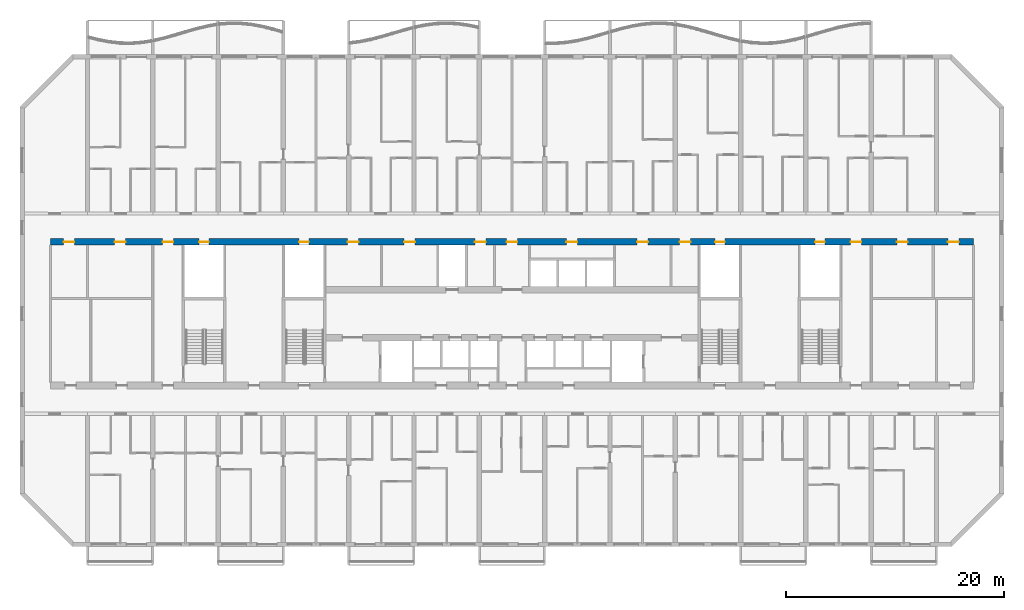
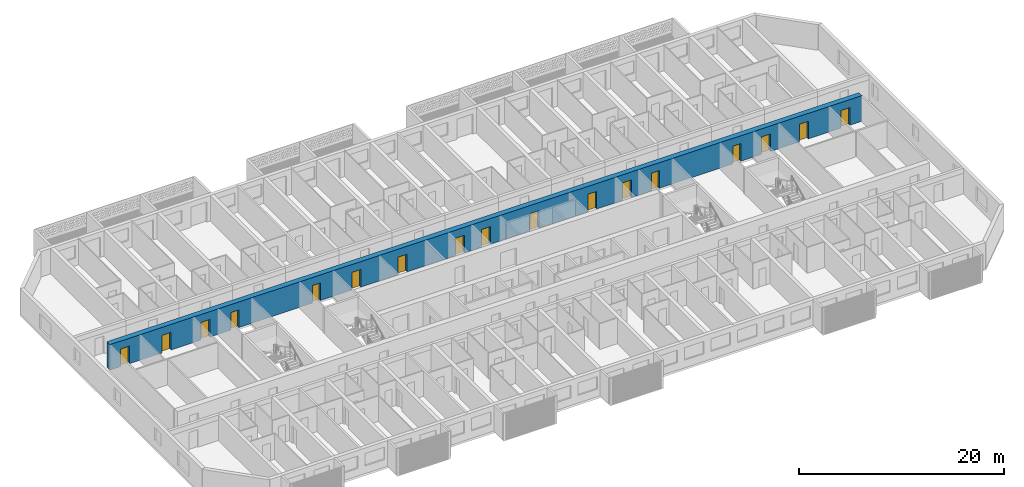
# One storey, part 8 of 39: 17 doors, 1 wall, 17 openings.
"""IFC4 building model written with IfcOpenShell, lengths in metres."""

import ifcopenshell
import ifcopenshell.guid

model = None  # the IFC model being written
_history = None  # IfcOwnerHistory: only IFC2X3 demands one
_inside = {}  # id of a spatial element -> (the spatial element, [elements in it])
_under = {}  # id of a project, library or spatial element -> (it, [spatial elements below it])
_declared = {}  # id of a project -> (the project, [libraries it declares])
_typed = {}  # id of a type object -> (the type object, [elements of that type])
_made_of = {}  # id of a material, layer set ... -> (it, [elements and type objects made of it])


def new_model(schema):
    """Start an empty IFC model of exactly this schema.

    Asked for "IFC4X3", IfcOpenShell would pick the latest addendum, in which some entities
    have other attributes; the version numbers below select the first issue.
    IFC2X3 requires an IfcOwnerHistory on every rooted entity: one is made here for all.
    """
    global model, _history
    if schema == "IFC4X3":
        model = ifcopenshell.file(schema_version=(4, 3, 0, 0))
    else:
        model = ifcopenshell.file(schema=schema)
    _inside.clear()
    _under.clear()
    _declared.clear()
    _typed.clear()
    _made_of.clear()
    _history = None
    if model.schema == "IFC2X3":
        org = make("IfcOrganization", Name="unknown")
        user = make(
            "IfcPersonAndOrganization",
            ThePerson=make("IfcPerson", FamilyName="unknown"),
            TheOrganization=org,
        )
        app = make(
            "IfcApplication",
            ApplicationDeveloper=org,
            Version="unknown",
            ApplicationFullName="unknown",
            ApplicationIdentifier="unknown",
        )
        _history = make(
            "IfcOwnerHistory",
            OwningUser=user,
            OwningApplication=app,
            ChangeAction="ADDED",
            CreationDate=0,
        )
    return model


def make(cls, **values):
    """One entity of the class cls with the attributes given. An attribute that is None is left unset."""
    return model.create_entity(
        cls, **{name: value for name, value in values.items() if value is not None}
    )


def rooted(cls, **values):
    """An entity with a GlobalId (a new one), such as an element, a storey or a relation."""
    return make(cls, GlobalId=ifcopenshell.guid.new(), OwnerHistory=_history, **values)


def si_unit(unit_type, name, prefix=None):
    """IfcSIUnit, for example si_unit("LENGTHUNIT", "METRE", prefix="MILLI")."""
    return make("IfcSIUnit", UnitType=unit_type, Prefix=prefix, Name=name)


def assignment(units):
    """IfcUnitAssignment: the units of a project."""
    return None if units is None else make("IfcUnitAssignment", Units=units)


def point(xyz):
    """IfcCartesianPoint."""
    return None if xyz is None else make("IfcCartesianPoint", Coordinates=xyz)


def direction(xyz):
    """IfcDirection."""
    return None if xyz is None else make("IfcDirection", DirectionRatios=xyz)


def frame(location, z_axis=None, x_axis=None):
    """IfcAxis2Placement3D, a coordinate frame: its origin and axes. An axis left out is left unset."""
    return make(
        "IfcAxis2Placement3D",
        Location=point(location),
        Axis=direction(z_axis),
        RefDirection=direction(x_axis),
    )


def frame_2d(location, x_axis=None):
    """IfcAxis2Placement2D, a coordinate frame in the plane: its origin and x axis."""
    return make(
        "IfcAxis2Placement2D", Location=point(location), RefDirection=direction(x_axis)
    )


def origin():
    """The frame at (0, 0, 0) with its axes left unset."""
    return frame((0.0, 0.0, 0.0))


def place(relative_to, where):
    """IfcLocalPlacement: puts the frame where relative to a parent placement (None: the world)."""
    return make(
        "IfcLocalPlacement", PlacementRelTo=relative_to, RelativePlacement=where
    )


def context(
    kind, dimensions, precision=None, world=None, true_north=None, identifier=None
):
    """IfcGeometricRepresentationContext, for example the 3D "Model" context."""
    return make(
        "IfcGeometricRepresentationContext",
        ContextIdentifier=identifier,
        ContextType=kind,
        CoordinateSpaceDimension=dimensions,
        Precision=precision,
        WorldCoordinateSystem=world,
        TrueNorth=true_north,
    )


def subcontext(parent, identifier, kind, view, scale=None):
    """IfcGeometricRepresentationSubContext, for example "Body" below "Model"."""
    return make(
        "IfcGeometricRepresentationSubContext",
        ContextIdentifier=identifier,
        ContextType=kind,
        ParentContext=parent,
        TargetScale=scale,
        TargetView=view,
    )


def project(units=None, contexts=None):
    """IfcProject with its units and contexts."""
    return rooted(
        "IfcProject",
        Name="project",
        RepresentationContexts=contexts,
        UnitsInContext=assignment(units),
    )


def spatial(cls, under=None, at=None, **own):
    """A site, building, storey or space (cls), placed at a placement, below another one or the project."""
    s = rooted(cls, ObjectPlacement=at, **own)
    if under is not None:
        _under.setdefault(under.id(), (under, []))[1].append(s)
    return s


def profile(cls, at=None, kind="AREA", **sizes):
    """A parametric profile (cls). Its sizes go by their IFC names, for example OverallWidth=200.0."""
    return make(cls, ProfileType=kind, Position=at, **sizes)


def rectangle(**sizes):
    """IfcRectangleProfileDef."""
    return profile("IfcRectangleProfileDef", **sizes)


def extrude(swept, where, along, depth):
    """IfcExtrudedAreaSolid: the profile swept, set in the frame where, extruded along a direction by depth."""
    return make(
        "IfcExtrudedAreaSolid",
        SweptArea=swept,
        Position=where,
        ExtrudedDirection=direction(along),
        Depth=depth,
    )


def shape(context_of_items, identifier, shape_type, items):
    """IfcShapeRepresentation: the items that make up one representation, for example the "Body"."""
    return make(
        "IfcShapeRepresentation",
        ContextOfItems=context_of_items,
        RepresentationIdentifier=identifier,
        RepresentationType=shape_type,
        Items=items,
    )


def material(Name=None, Category=None):
    """IfcMaterial."""
    return make("IfcMaterial", Name=Name, Category=Category)


def layer(
    of_material, thickness, ventilated=None, Name=None, Category=None, Priority=None
):
    """IfcMaterialLayer: one layer of a wall or slab, of a material (None: an air gap)."""
    return make(
        "IfcMaterialLayer",
        Material=of_material,
        LayerThickness=thickness,
        IsVentilated=ventilated,
        Name=Name,
        Category=Category,
        Priority=Priority,
    )


def layer_set(layers, Name=None):
    """IfcMaterialLayerSet."""
    return make("IfcMaterialLayerSet", MaterialLayers=layers, LayerSetName=Name)


def made_of(thing, what):
    """Note that an element or type object is made of a material, layer set ...; save() writes the relation."""
    if what is not None:
        _made_of.setdefault(what.id(), (what, []))[1].append(thing)
    return thing


def type_object(cls, material=None, **own):
    """A type object (cls), such as IfcWallType, which elements share."""
    return made_of(rooted(cls, **own), material)


def element(
    cls,
    number,
    at=None,
    inside=None,
    cuts=None,
    type_object=None,
    material=None,
    context=None,
    identifier="Body",
    shape_type=None,
    held_by="IfcProductDefinitionShape",
    body=None,
    shapes=None,
    **own,
):
    """One element of the class cls, such as IfcWall. Its Tag is "e" and its number.

    at: its placement. inside: the storey or other place that contains it. cuts: it is an
    opening in that element (IfcRelVoidsElement). A single representation is given by context,
    identifier, shape_type and body (its items); several are given by shapes. held_by: the class
    of the entity that holds the representations. save() writes the other relations.
    """
    e = rooted(cls, Tag="e%d" % number, ObjectPlacement=at, **own)
    if body is not None:
        shapes = [shape(context, identifier, shape_type, body)]
    if shapes is not None:
        e.Representation = make(held_by, Representations=shapes)
    if inside is not None:
        _inside.setdefault(inside.id(), (inside, []))[1].append(e)
    if cuts is not None:
        rooted(
            "IfcRelVoidsElement", RelatingBuildingElement=cuts, RelatedOpeningElement=e
        )
    if type_object is not None:
        _typed.setdefault(type_object.id(), (type_object, []))[1].append(e)
    return made_of(e, material)


def fill(opening, filler):
    """IfcRelFillsElement: the door or window that sits in an opening."""
    return rooted(
        "IfcRelFillsElement",
        RelatingOpeningElement=opening,
        RelatedBuildingElement=filler,
    )


def aggregate(whole, parts):
    """IfcRelAggregates: a whole, such as a stair, and the parts it consists of."""
    return rooted("IfcRelAggregates", RelatingObject=whole, RelatedObjects=parts)


def save(model, path):
    """Write the relations noted so far, then the file.

    IfcRelAggregates (storeys below a building ...), IfcRelContainedInSpatialStructure (elements
    in a storey), IfcRelDefinesByType, IfcRelAssociatesMaterial and IfcRelDeclares: one each for
    every whole, place, type object, material and project.
    """
    for whole, parts in _under.values():
        aggregate(whole, parts)
    for where, things in _inside.values():
        rooted(
            "IfcRelContainedInSpatialStructure",
            RelatedElements=things,
            RelatingStructure=where,
        )
    for kind, things in _typed.values():
        rooted("IfcRelDefinesByType", RelatedObjects=things, RelatingType=kind)
    for what, things in _made_of.values():
        rooted("IfcRelAssociatesMaterial", RelatedObjects=things, RelatingMaterial=what)
    for by, libraries in _declared.values():
        rooted("IfcRelDeclares", RelatingContext=by, RelatedDefinitions=libraries)
    model.write(path)


model = new_model("IFC4")

# Units and contexts
model_context = context("Model", 3, precision=1e-05, world=origin(), true_north=direction((0.0, 1.0)))
body_context = subcontext(model_context, "Body", "Model", "MODEL_VIEW")
ifc_project = project(units=[si_unit("LENGTHUNIT", "METRE"), si_unit("AREAUNIT", "SQUARE_METRE"), si_unit("VOLUMEUNIT", "CUBIC_METRE"), si_unit("PLANEANGLEUNIT", "RADIAN"), si_unit("MASSUNIT", "GRAM", prefix="KILO")], contexts=[model_context])

# Site, building, storey
site_placement = place(None, origin())
site = spatial("IfcSite", under=ifc_project, at=site_placement, CompositionType="ELEMENT")
building_placement = place(site_placement, origin())
building = spatial("IfcBuilding", under=site, at=building_placement, Name="Poui Terraces", CompositionType="ELEMENT")
storey_placement = place(building_placement, frame((0.0, 0.0, 56.39990234375)))
storey = spatial("IfcBuildingStorey", under=building, at=storey_placement, Name="L15", CompositionType="ELEMENT", Elevation=56.39990234375)

# Wall, openings, doors
ifc_material_1 = material(Name="Concrete 80 MPa", Category="concrete")
ifc_layer = layer(ifc_material_1, 0.60009765625)
ifc_layer_set = layer_set([ifc_layer], Name="Concrete 80 MPa")
wall_type = type_object("IfcWallType", Name="SPINE WALL 600 80 MPA", PredefinedType="SOLIDWALL", material=ifc_layer_set)
wall_placement = place(storey_placement, frame((8.60009765625, 27.800048828125, 0.0), z_axis=(0.0, 0.0, 1.0), x_axis=(1.0, 0.0, 0.0)))
wall = element("IfcWall", 1, at=wall_placement, inside=storey, type_object=wall_type, Name="SPINE WALL", PredefinedType="SOLIDWALL", context=body_context, shape_type="SweptSolid", body=[
    extrude(rectangle(XDim=84.7998046875, YDim=0.60009765625, at=frame_2d((42.39990234375, 0.0))), origin(), (0.0, 0.0, 1.0), 3.050048828125),
])
opening_1_placement = place(wall_placement, frame((1.199951171875, 0.0, 0.0)))
opening_1 = element("IfcOpeningElement", 2, at=opening_1_placement, cuts=wall, Name="Opening FD60", PredefinedType="OPENING", context=body_context, shape_type="SweptSolid", body=[
    extrude(rectangle(XDim=1.0, YDim=2.10009765625, at=frame_2d((0.5, 1.050048828125))), frame((0.0, 0.31005859375, 0.0), z_axis=(0.0, -1.0, 0.0), x_axis=(1.0, 0.0, 0.0)), (0.0, 0.0, 1.0), 0.6201171875),
])
opening_2_placement = place(wall_placement, frame((5.89990234375, 0.0, 0.0)))
opening_2 = element("IfcOpeningElement", 3, at=opening_2_placement, cuts=wall, Name="Opening FD60", PredefinedType="OPENING", context=body_context, shape_type="SweptSolid", body=[
    extrude(rectangle(XDim=1.0, YDim=2.10009765625, at=frame_2d((0.5, 1.050048828125))), frame((0.0, 0.31005859375, 0.0), z_axis=(0.0, -1.0, 0.0), x_axis=(1.0, 0.0, 0.0)), (0.0, 0.0, 1.0), 0.6201171875),
])
opening_3_placement = place(wall_placement, frame((10.300048828125, 0.0, 0.0)))
opening_3 = element("IfcOpeningElement", 4, at=opening_3_placement, cuts=wall, Name="Opening FDL", PredefinedType="OPENING", context=body_context, shape_type="SweptSolid", body=[
    extrude(rectangle(XDim=1.0, YDim=2.10009765625, at=frame_2d((0.5, 1.050048828125))), frame((0.0, 0.31005859375, 0.0), z_axis=(0.0, -1.0, 0.0), x_axis=(1.0, 0.0, 0.0)), (0.0, 0.0, 1.0), 0.6201171875),
])
opening_4_placement = place(wall_placement, frame((13.64990234375, 0.0, 0.0)))
opening_4 = element("IfcOpeningElement", 5, at=opening_4_placement, cuts=wall, Name="Opening FDR", PredefinedType="OPENING", context=body_context, shape_type="SweptSolid", body=[
    extrude(rectangle(XDim=0.89990234375, YDim=2.10009765625, at=frame_2d((0.449951171875, 1.050048828125))), frame((0.0, 0.31005859375, 0.0), z_axis=(0.0, -1.0, 0.0), x_axis=(1.0, 0.0, 0.0)), (0.0, 0.0, 1.0), 0.6201171875),
])
opening_5_placement = place(wall_placement, frame((22.85009765625, 0.0, 0.0)))
opening_5 = element("IfcOpeningElement", 6, at=opening_5_placement, cuts=wall, Name="Opening FDR", PredefinedType="OPENING", context=body_context, shape_type="SweptSolid", body=[
    extrude(rectangle(XDim=0.89990234375, YDim=2.10009765625, at=frame_2d((0.449951171875, 1.050048828125))), frame((0.0, 0.31005859375, 0.0), z_axis=(0.0, -1.0, 0.0), x_axis=(1.0, 0.0, 0.0)), (0.0, 0.0, 1.0), 0.6201171875),
])
opening_6_placement = place(wall_placement, frame((27.300048828125, 0.0, 0.0)))
opening_6 = element("IfcOpeningElement", 7, at=opening_6_placement, cuts=wall, Name="Opening FD60", PredefinedType="OPENING", context=body_context, shape_type="SweptSolid", body=[
    extrude(rectangle(XDim=1.0, YDim=2.10009765625, at=frame_2d((0.5, 1.050048828125))), frame((0.0, 0.31005859375, 0.0), z_axis=(0.0, -1.0, 0.0), x_axis=(1.0, 0.0, 0.0)), (0.0, 0.0, 1.0), 0.6201171875),
])
opening_7_placement = place(wall_placement, frame((32.5, 0.0, 0.0)))
opening_7 = element("IfcOpeningElement", 8, at=opening_7_placement, cuts=wall, Name="Opening FD60", PredefinedType="OPENING", context=body_context, shape_type="SweptSolid", body=[
    extrude(rectangle(XDim=1.0, YDim=2.10009765625, at=frame_2d((0.5, 1.050048828125))), frame((0.0, 0.31005859375, 0.0), z_axis=(0.0, -1.0, 0.0), x_axis=(1.0, 0.0, 0.0)), (0.0, 0.0, 1.0), 0.6201171875),
])
opening_8_placement = place(wall_placement, frame((39.0, 0.0, 0.0)))
opening_8 = element("IfcOpeningElement", 9, at=opening_8_placement, cuts=wall, Name="Opening FD60", PredefinedType="OPENING", context=body_context, shape_type="SweptSolid", body=[
    extrude(rectangle(XDim=1.0, YDim=2.10009765625, at=frame_2d((0.5, 1.050048828125))), frame((0.0, 0.31005859375, 0.0), z_axis=(0.0, -1.0, 0.0), x_axis=(1.0, 0.0, 0.0)), (0.0, 0.0, 1.0), 0.6201171875),
])
opening_9_placement = place(wall_placement, frame((41.89990234375, 0.0, 0.0)))
opening_9 = element("IfcOpeningElement", 10, at=opening_9_placement, cuts=wall, Name="Opening FDL", PredefinedType="OPENING", context=body_context, shape_type="SweptSolid", body=[
    extrude(rectangle(XDim=1.0, YDim=2.10009765625, at=frame_2d((0.5, 1.050048828125))), frame((0.0, 0.31005859375, 0.0), z_axis=(0.0, -1.0, 0.0), x_axis=(1.0, 0.0, 0.0)), (0.0, 0.0, 1.0), 0.6201171875),
])
opening_10_placement = place(wall_placement, frame((47.39990234375, 0.0, 0.0)))
opening_10 = element("IfcOpeningElement", 11, at=opening_10_placement, cuts=wall, Name="Opening FD60", PredefinedType="OPENING", context=body_context, shape_type="SweptSolid", body=[
    extrude(rectangle(XDim=1.0, YDim=2.10009765625, at=frame_2d((0.5, 1.050048828125))), frame((0.0, 0.31005859375, 0.0), z_axis=(0.0, -1.0, 0.0), x_axis=(1.0, 0.0, 0.0)), (0.0, 0.0, 1.0), 0.6201171875),
])
opening_11_placement = place(wall_placement, frame((53.89990234375, 0.0, 0.0)))
opening_11 = element("IfcOpeningElement", 12, at=opening_11_placement, cuts=wall, Name="Opening FD60", PredefinedType="OPENING", context=body_context, shape_type="SweptSolid", body=[
    extrude(rectangle(XDim=1.0, YDim=2.10009765625, at=frame_2d((0.5, 1.050048828125))), frame((0.0, 0.31005859375, 0.0), z_axis=(0.0, -1.0, 0.0), x_axis=(1.0, 0.0, 0.0)), (0.0, 0.0, 1.0), 0.6201171875),
])
opening_12_placement = place(wall_placement, frame((57.800048828125, 0.0, 0.0)))
opening_12 = element("IfcOpeningElement", 13, at=opening_12_placement, cuts=wall, Name="Opening FD60", PredefinedType="OPENING", context=body_context, shape_type="SweptSolid", body=[
    extrude(rectangle(XDim=1.0, YDim=2.10009765625, at=frame_2d((0.5, 1.050048828125))), frame((0.0, 0.31005859375, 0.0), z_axis=(0.0, -1.0, 0.0), x_axis=(1.0, 0.0, 0.0)), (0.0, 0.0, 1.0), 0.6201171875),
])
opening_13_placement = place(wall_placement, frame((61.050048828125, 0.0, 0.0)))
opening_13 = element("IfcOpeningElement", 14, at=opening_13_placement, cuts=wall, Name="Opening FDR", PredefinedType="OPENING", context=body_context, shape_type="SweptSolid", body=[
    extrude(rectangle(XDim=0.89990234375, YDim=2.10009765625, at=frame_2d((0.449951171875, 1.050048828125))), frame((0.0, 0.31005859375, 0.0), z_axis=(0.0, -1.0, 0.0), x_axis=(1.0, 0.0, 0.0)), (0.0, 0.0, 1.0), 0.6201171875),
])
opening_14_placement = place(wall_placement, frame((70.25, 0.0, 0.0)))
opening_14 = element("IfcOpeningElement", 15, at=opening_14_placement, cuts=wall, Name="Opening FDR", PredefinedType="OPENING", context=body_context, shape_type="SweptSolid", body=[
    extrude(rectangle(XDim=0.89990234375, YDim=2.10009765625, at=frame_2d((0.449951171875, 1.050048828125))), frame((0.0, 0.31005859375, 0.0), z_axis=(0.0, -1.0, 0.0), x_axis=(1.0, 0.0, 0.0)), (0.0, 0.0, 1.0), 0.6201171875),
])
opening_15_placement = place(wall_placement, frame((73.5, 0.0, 0.0)))
opening_15 = element("IfcOpeningElement", 16, at=opening_15_placement, cuts=wall, Name="Opening FDL", PredefinedType="OPENING", context=body_context, shape_type="SweptSolid", body=[
    extrude(rectangle(XDim=1.0, YDim=2.10009765625, at=frame_2d((0.5, 1.050048828125))), frame((0.0, 0.31005859375, 0.0), z_axis=(0.0, -1.0, 0.0), x_axis=(1.0, 0.0, 0.0)), (0.0, 0.0, 1.0), 0.6201171875),
])
opening_16_placement = place(wall_placement, frame((77.75, 0.0, 0.0)))
opening_16 = element("IfcOpeningElement", 17, at=opening_16_placement, cuts=wall, Name="Opening FD60", PredefinedType="OPENING", context=body_context, shape_type="SweptSolid", body=[
    extrude(rectangle(XDim=1.0, YDim=2.10009765625, at=frame_2d((0.5, 1.050048828125))), frame((0.0, 0.31005859375, 0.0), z_axis=(0.0, -1.0, 0.0), x_axis=(1.0, 0.0, 0.0)), (0.0, 0.0, 1.0), 0.6201171875),
])
opening_17_placement = place(wall_placement, frame((82.449951171875, 0.0, 0.0)))
opening_17 = element("IfcOpeningElement", 18, at=opening_17_placement, cuts=wall, Name="Opening FD60", PredefinedType="OPENING", context=body_context, shape_type="SweptSolid", body=[
    extrude(rectangle(XDim=1.0, YDim=2.10009765625, at=frame_2d((0.5, 1.050048828125))), frame((0.0, 0.31005859375, 0.0), z_axis=(0.0, -1.0, 0.0), x_axis=(1.0, 0.0, 0.0)), (0.0, 0.0, 1.0), 0.6201171875),
])
ifc_material_2 = material(Name="Steel fire door", Category="steel")
door_type_1 = type_object("IfcDoorType", Name="LOBBY FIRE DOOR 1000 X 2100", OperationType="NOTDEFINED", PredefinedType="DOOR", material=ifc_material_2)
door_1_placement = place(opening_3_placement, origin())
door_1 = element("IfcDoor", 19, at=door_1_placement, inside=storey, type_object=door_type_1, Name="LOBBY FIRE DOOR 003", OperationType="SINGLE_SWING_LEFT", OverallHeight=2.10009765625, OverallWidth=1.0, PredefinedType="DOOR", context=body_context, shape_type="SweptSolid", body=[
    extrude(rectangle(XDim=1.0, YDim=2.10009765625, at=frame_2d((0.5, 1.050048828125))), frame((0.0, 0.02490234375, 0.0), z_axis=(0.0, -1.0, 0.0), x_axis=(1.0, 0.0, 0.0)), (0.0, 0.0, 1.0), 0.050048828125),
])
fill(opening_3, door_1)
door_2_placement = place(opening_9_placement, origin())
door_2 = element("IfcDoor", 20, at=door_2_placement, inside=storey, type_object=door_type_1, Name="LOBBY FIRE DOOR 009", OperationType="SINGLE_SWING_RIGHT", OverallHeight=2.10009765625, OverallWidth=1.0, PredefinedType="DOOR", context=body_context, shape_type="SweptSolid", body=[
    extrude(rectangle(XDim=1.0, YDim=2.10009765625, at=frame_2d((0.5, 1.050048828125))), frame((0.0, 0.02490234375, 0.0), z_axis=(0.0, -1.0, 0.0), x_axis=(1.0, 0.0, 0.0)), (0.0, 0.0, 1.0), 0.050048828125),
])
fill(opening_9, door_2)
door_3_placement = place(opening_15_placement, origin())
door_3 = element("IfcDoor", 21, at=door_3_placement, inside=storey, type_object=door_type_1, Name="LOBBY FIRE DOOR 015", OperationType="SINGLE_SWING_RIGHT", OverallHeight=2.10009765625, OverallWidth=1.0, PredefinedType="DOOR", context=body_context, shape_type="SweptSolid", body=[
    extrude(rectangle(XDim=1.0, YDim=2.10009765625, at=frame_2d((0.5, 1.050048828125))), frame((0.0, 0.02490234375, 0.0), z_axis=(0.0, -1.0, 0.0), x_axis=(1.0, 0.0, 0.0)), (0.0, 0.0, 1.0), 0.050048828125),
])
fill(opening_15, door_3)
door_type_2 = type_object("IfcDoorType", Name="RISER CUPBOARD DOOR 900 X 2100", OperationType="NOTDEFINED", PredefinedType="DOOR", material=ifc_material_2)
door_4_placement = place(opening_4_placement, origin())
door_4 = element("IfcDoor", 22, at=door_4_placement, inside=storey, type_object=door_type_2, Name="RISER CUPBOARD DOOR 004", OperationType="SINGLE_SWING_LEFT", OverallHeight=2.10009765625, OverallWidth=0.89990234375, PredefinedType="DOOR", context=body_context, shape_type="SweptSolid", body=[
    extrude(rectangle(XDim=0.89990234375, YDim=2.10009765625, at=frame_2d((0.449951171875, 1.050048828125))), frame((0.0, 0.02490234375, 0.0), z_axis=(0.0, -1.0, 0.0), x_axis=(1.0, 0.0, 0.0)), (0.0, 0.0, 1.0), 0.050048828125),
])
fill(opening_4, door_4)
door_5_placement = place(opening_5_placement, origin())
door_5 = element("IfcDoor", 23, at=door_5_placement, inside=storey, type_object=door_type_2, Name="RISER CUPBOARD DOOR 005", OperationType="SINGLE_SWING_LEFT", OverallHeight=2.10009765625, OverallWidth=0.89990234375, PredefinedType="DOOR", context=body_context, shape_type="SweptSolid", body=[
    extrude(rectangle(XDim=0.89990234375, YDim=2.10009765625, at=frame_2d((0.449951171875, 1.050048828125))), frame((0.0, 0.02490234375, 0.0), z_axis=(0.0, -1.0, 0.0), x_axis=(1.0, 0.0, 0.0)), (0.0, 0.0, 1.0), 0.050048828125),
])
fill(opening_5, door_5)
door_6_placement = place(opening_13_placement, origin())
door_6 = element("IfcDoor", 24, at=door_6_placement, inside=storey, type_object=door_type_2, Name="RISER CUPBOARD DOOR 013", OperationType="SINGLE_SWING_RIGHT", OverallHeight=2.10009765625, OverallWidth=0.89990234375, PredefinedType="DOOR", context=body_context, shape_type="SweptSolid", body=[
    extrude(rectangle(XDim=0.89990234375, YDim=2.10009765625, at=frame_2d((0.449951171875, 1.050048828125))), frame((0.0, 0.02490234375, 0.0), z_axis=(0.0, -1.0, 0.0), x_axis=(1.0, 0.0, 0.0)), (0.0, 0.0, 1.0), 0.050048828125),
])
fill(opening_13, door_6)
door_7_placement = place(opening_14_placement, origin())
door_7 = element("IfcDoor", 25, at=door_7_placement, inside=storey, type_object=door_type_2, Name="RISER CUPBOARD DOOR 014", OperationType="SINGLE_SWING_RIGHT", OverallHeight=2.10009765625, OverallWidth=0.89990234375, PredefinedType="DOOR", context=body_context, shape_type="SweptSolid", body=[
    extrude(rectangle(XDim=0.89990234375, YDim=2.10009765625, at=frame_2d((0.449951171875, 1.050048828125))), frame((0.0, 0.02490234375, 0.0), z_axis=(0.0, -1.0, 0.0), x_axis=(1.0, 0.0, 0.0)), (0.0, 0.0, 1.0), 0.050048828125),
])
fill(opening_14, door_7)
door_type_3 = type_object("IfcDoorType", Name="SERVICE ROOM FIRE DOOR 1000 X 2100", OperationType="NOTDEFINED", PredefinedType="DOOR", material=ifc_material_2)
door_8_placement = place(opening_1_placement, origin())
door_8 = element("IfcDoor", 26, at=door_8_placement, inside=storey, type_object=door_type_3, Name="SERVICE ROOM FIRE DOOR 001", OperationType="SINGLE_SWING_RIGHT", OverallHeight=2.10009765625, OverallWidth=1.0, PredefinedType="DOOR", context=body_context, shape_type="SweptSolid", body=[
    extrude(rectangle(XDim=1.0, YDim=2.10009765625, at=frame_2d((0.5, 1.050048828125))), frame((0.0, 0.02490234375, 0.0), z_axis=(0.0, -1.0, 0.0), x_axis=(1.0, 0.0, 0.0)), (0.0, 0.0, 1.0), 0.050048828125),
])
fill(opening_1, door_8)
door_9_placement = place(opening_2_placement, origin())
door_9 = element("IfcDoor", 27, at=door_9_placement, inside=storey, type_object=door_type_3, Name="SERVICE ROOM FIRE DOOR 002", OperationType="SINGLE_SWING_LEFT", OverallHeight=2.10009765625, OverallWidth=1.0, PredefinedType="DOOR", context=body_context, shape_type="SweptSolid", body=[
    extrude(rectangle(XDim=1.0, YDim=2.10009765625, at=frame_2d((0.5, 1.050048828125))), frame((0.0, 0.02490234375, 0.0), z_axis=(0.0, -1.0, 0.0), x_axis=(1.0, 0.0, 0.0)), (0.0, 0.0, 1.0), 0.050048828125),
])
fill(opening_2, door_9)
door_10_placement = place(opening_6_placement, origin())
door_10 = element("IfcDoor", 28, at=door_10_placement, inside=storey, type_object=door_type_3, Name="SERVICE ROOM FIRE DOOR 006", OperationType="SINGLE_SWING_RIGHT", OverallHeight=2.10009765625, OverallWidth=1.0, PredefinedType="DOOR", context=body_context, shape_type="SweptSolid", body=[
    extrude(rectangle(XDim=1.0, YDim=2.10009765625, at=frame_2d((0.5, 1.050048828125))), frame((0.0, 0.02490234375, 0.0), z_axis=(0.0, -1.0, 0.0), x_axis=(1.0, 0.0, 0.0)), (0.0, 0.0, 1.0), 0.050048828125),
])
fill(opening_6, door_10)
door_11_placement = place(opening_7_placement, origin())
door_11 = element("IfcDoor", 29, at=door_11_placement, inside=storey, type_object=door_type_3, Name="SERVICE ROOM FIRE DOOR 007", OperationType="SINGLE_SWING_LEFT", OverallHeight=2.10009765625, OverallWidth=1.0, PredefinedType="DOOR", context=body_context, shape_type="SweptSolid", body=[
    extrude(rectangle(XDim=1.0, YDim=2.10009765625, at=frame_2d((0.5, 1.050048828125))), frame((0.0, 0.02490234375, 0.0), z_axis=(0.0, -1.0, 0.0), x_axis=(1.0, 0.0, 0.0)), (0.0, 0.0, 1.0), 0.050048828125),
])
fill(opening_7, door_11)
door_12_placement = place(opening_8_placement, origin())
door_12 = element("IfcDoor", 30, at=door_12_placement, inside=storey, type_object=door_type_3, Name="SERVICE ROOM FIRE DOOR 008", OperationType="SINGLE_SWING_RIGHT", OverallHeight=2.10009765625, OverallWidth=1.0, PredefinedType="DOOR", context=body_context, shape_type="SweptSolid", body=[
    extrude(rectangle(XDim=1.0, YDim=2.10009765625, at=frame_2d((0.5, 1.050048828125))), frame((0.0, 0.02490234375, 0.0), z_axis=(0.0, -1.0, 0.0), x_axis=(1.0, 0.0, 0.0)), (0.0, 0.0, 1.0), 0.050048828125),
])
fill(opening_8, door_12)
door_13_placement = place(opening_10_placement, origin())
door_13 = element("IfcDoor", 31, at=door_13_placement, inside=storey, type_object=door_type_3, Name="SERVICE ROOM FIRE DOOR 010", OperationType="SINGLE_SWING_LEFT", OverallHeight=2.10009765625, OverallWidth=1.0, PredefinedType="DOOR", context=body_context, shape_type="SweptSolid", body=[
    extrude(rectangle(XDim=1.0, YDim=2.10009765625, at=frame_2d((0.5, 1.050048828125))), frame((0.0, 0.02490234375, 0.0), z_axis=(0.0, -1.0, 0.0), x_axis=(1.0, 0.0, 0.0)), (0.0, 0.0, 1.0), 0.050048828125),
])
fill(opening_10, door_13)
door_14_placement = place(opening_11_placement, origin())
door_14 = element("IfcDoor", 32, at=door_14_placement, inside=storey, type_object=door_type_3, Name="SERVICE ROOM FIRE DOOR 011", OperationType="SINGLE_SWING_RIGHT", OverallHeight=2.10009765625, OverallWidth=1.0, PredefinedType="DOOR", context=body_context, shape_type="SweptSolid", body=[
    extrude(rectangle(XDim=1.0, YDim=2.10009765625, at=frame_2d((0.5, 1.050048828125))), frame((0.0, 0.02490234375, 0.0), z_axis=(0.0, -1.0, 0.0), x_axis=(1.0, 0.0, 0.0)), (0.0, 0.0, 1.0), 0.050048828125),
])
fill(opening_11, door_14)
door_15_placement = place(opening_12_placement, origin())
door_15 = element("IfcDoor", 33, at=door_15_placement, inside=storey, type_object=door_type_3, Name="SERVICE ROOM FIRE DOOR 012", OperationType="SINGLE_SWING_LEFT", OverallHeight=2.10009765625, OverallWidth=1.0, PredefinedType="DOOR", context=body_context, shape_type="SweptSolid", body=[
    extrude(rectangle(XDim=1.0, YDim=2.10009765625, at=frame_2d((0.5, 1.050048828125))), frame((0.0, 0.02490234375, 0.0), z_axis=(0.0, -1.0, 0.0), x_axis=(1.0, 0.0, 0.0)), (0.0, 0.0, 1.0), 0.050048828125),
])
fill(opening_12, door_15)
door_16_placement = place(opening_16_placement, origin())
door_16 = element("IfcDoor", 34, at=door_16_placement, inside=storey, type_object=door_type_3, Name="SERVICE ROOM FIRE DOOR 016", OperationType="SINGLE_SWING_RIGHT", OverallHeight=2.10009765625, OverallWidth=1.0, PredefinedType="DOOR", context=body_context, shape_type="SweptSolid", body=[
    extrude(rectangle(XDim=1.0, YDim=2.10009765625, at=frame_2d((0.5, 1.050048828125))), frame((0.0, 0.02490234375, 0.0), z_axis=(0.0, -1.0, 0.0), x_axis=(1.0, 0.0, 0.0)), (0.0, 0.0, 1.0), 0.050048828125),
])
fill(opening_16, door_16)
door_17_placement = place(opening_17_placement, origin())
door_17 = element("IfcDoor", 35, at=door_17_placement, inside=storey, type_object=door_type_3, Name="SERVICE ROOM FIRE DOOR 017", OperationType="SINGLE_SWING_LEFT", OverallHeight=2.10009765625, OverallWidth=1.0, PredefinedType="DOOR", context=body_context, shape_type="SweptSolid", body=[
    extrude(rectangle(XDim=1.0, YDim=2.10009765625, at=frame_2d((0.5, 1.050048828125))), frame((0.0, 0.02490234375, 0.0), z_axis=(0.0, -1.0, 0.0), x_axis=(1.0, 0.0, 0.0)), (0.0, 0.0, 1.0), 0.050048828125),
])
fill(opening_17, door_17)

save(model, "model.ifc")
